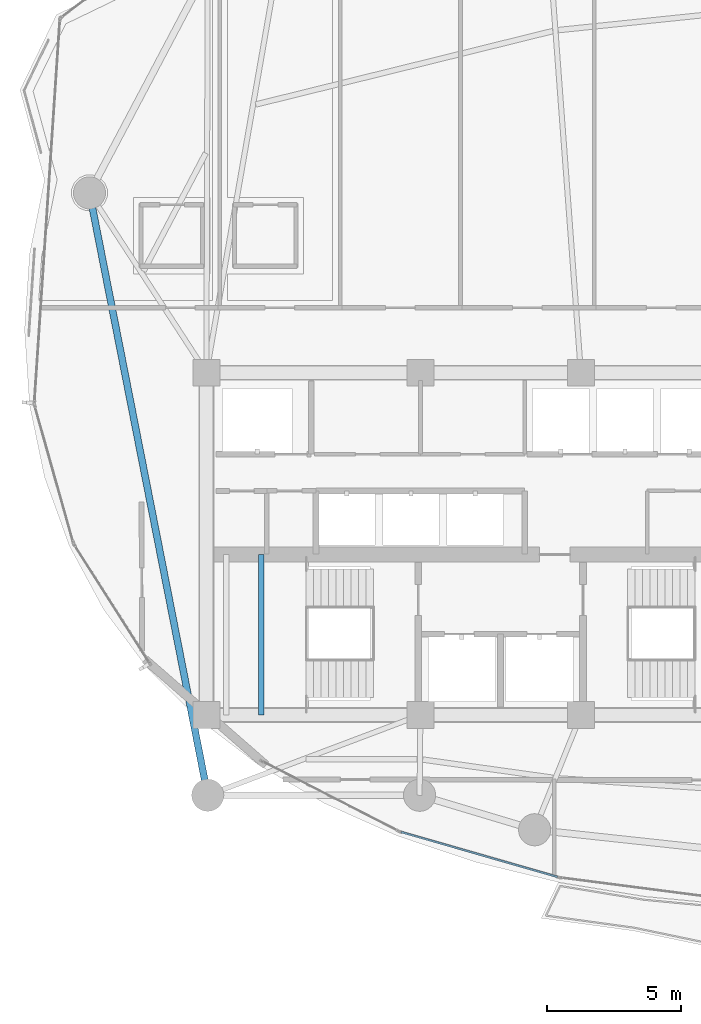
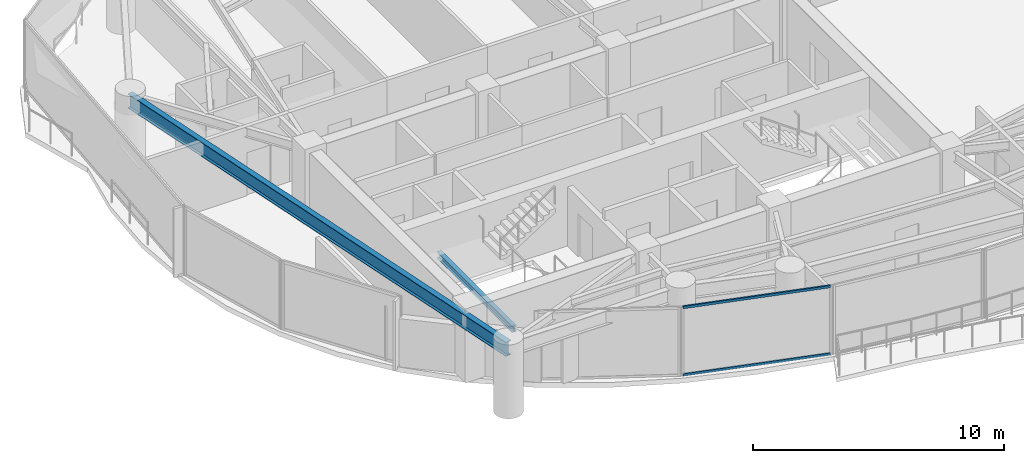
# One storey, part 4 of 30: 2 beams, 2 members, 1 element without a shape of its own.
"""IFC4 building model written with IfcOpenShell, lengths in metres."""

from ifc_helpers import new_model, si_unit, direction, frame, origin, origin_2d, place, context, subcontext, project, spatial, hollow_rectangle, i_section, extrude, material, layer, layer_set, material_profile, profile_set, type_object, element, aggregate, save


model = new_model("IFC4")

# Units and contexts
model_context = context("Model", 3, precision=1e-05, world=origin(), true_north=direction((0.0, 1.0)))
body_context = subcontext(model_context, "Body", "Model", "MODEL_VIEW")
ifc_project = project(units=[si_unit("LENGTHUNIT", "METRE"), si_unit("AREAUNIT", "SQUARE_METRE"), si_unit("VOLUMEUNIT", "CUBIC_METRE"), si_unit("PLANEANGLEUNIT", "RADIAN"), si_unit("MASSUNIT", "GRAM", prefix="KILO")], contexts=[model_context])

# Site, building, storey
site_placement = place(None, origin())
site = spatial("IfcSite", under=ifc_project, at=site_placement, CompositionType="ELEMENT")
building_placement = place(site_placement, origin())
building = spatial("IfcBuilding", under=site, at=building_placement, Name="Kazevale Care Tower and Concert Hall", CompositionType="ELEMENT")
storey_placement = place(building_placement, frame((0.0, 0.0, 127.800048828125)))
storey = spatial("IfcBuildingStorey", under=building, at=storey_placement, Name="L33", CompositionType="ELEMENT", Elevation=127.800048828125)

# Curtain wall, members
ifc_material_1 = material(Name="Aluminium 6063-T6 and Low-E Glass", Category="aluminium")
ifc_layer = layer(ifc_material_1, 0.179931640625)
ifc_layer_set = layer_set([ifc_layer], Name="Aluminium 6063-T6 and Low-E Glass")
curtain_wall_type = type_object("IfcCurtainWallType", Name="Sheltered Concave Balcony Curtain Wall CW-5", PredefinedType="NOTDEFINED", material=ifc_layer_set)
curtain_wall_placement = place(storey_placement, origin())
curtain_wall = element("IfcCurtainWall", 1, at=curtain_wall_placement, inside=storey, type_object=curtain_wall_type, Name="cw:L33:f08", PredefinedType="NOTDEFINED")
ifc_material_2 = material(Name="Aluminium 6063-T6", Category="aluminium")
ifc_material_profile_1 = material_profile(ifc_material_2, hollow_rectangle(XDim=0.074951171875, YDim=0.1201171875, WallThickness=0.00390625, at=origin_2d()), Name="ALU75x120x4")
ifc_profile_set_1 = profile_set([ifc_material_profile_1], Name="Aluminium 6063-T6")
member_type = type_object("IfcMemberType", Name="CW-5 Transom ALU75x120x4", PredefinedType="USERDEFINED", material=ifc_profile_set_1)
member_1_placement = place(storey_placement, frame((35.121826171875, 17.545654296875, 0.037353515625), z_axis=(-0.961067703236, 0.276312992451, 0.0), x_axis=(-0.276312992451, -0.961067703236, 0.0)))
member_1 = element("IfcMember", 2, at=member_1_placement, type_object=member_type, Name="CW-5 transom 1.1", ObjectType="TRANSOM", PredefinedType="USERDEFINED", context=body_context, shape_type="SweptSolid", body=[
    extrude(hollow_rectangle(XDim=0.074951171875, YDim=0.1201171875, WallThickness=0.00390625, at=origin_2d()), origin(), (0.0, 0.0, 1.0), 6.075439453125),
])
member_2_placement = place(storey_placement, frame((35.121826171875, 17.545654296875, 3.322509765625), z_axis=(-0.961067703236, 0.276312992451, 0.0), x_axis=(-0.276312992451, -0.961067703236, 0.0)))
member_2 = element("IfcMember", 3, at=member_2_placement, type_object=member_type, Name="CW-5 transom 1.2", ObjectType="TRANSOM", PredefinedType="USERDEFINED", context=body_context, shape_type="SweptSolid", body=[
    extrude(hollow_rectangle(XDim=0.074951171875, YDim=0.1201171875, WallThickness=0.00390625, at=origin_2d()), origin(), (0.0, 0.0, 1.0), 6.075439453125),
])
aggregate(curtain_wall, [member_1, member_2])

# Beams
ifc_material_3 = material(Name="Steel ASTM A572 Gr 50", Category="steel")
ifc_material_profile_2 = material_profile(ifc_material_3, i_section(OverallWidth=0.202880859375, OverallDepth=0.302978515625, WebThickness=0.007568359375, FlangeThickness=0.01318359375, at=origin_2d()), Name="W310x60")
ifc_profile_set_2 = profile_set([ifc_material_profile_2], Name="Steel ASTM A572 Gr 50")
beam_type_1 = type_object("IfcBeamType", Name="Stair & Balcony Trimmer W310x60", PredefinedType="BEAM", material=ifc_profile_set_2)
beam_1_placement = place(storey_placement, frame((24.050048828125, 23.60009765625, 1.448486328125), z_axis=(0.0, 1.0, 0.0), x_axis=(-1.0, 0.0, 0.0)))
element("IfcBeam", 4, at=beam_1_placement, inside=storey, type_object=beam_type_1, Name="beam:L33:sttrim:ST1b", PredefinedType="BEAM", context=body_context, shape_type="SweptSolid", body=[
    extrude(i_section(OverallWidth=0.202880859375, OverallDepth=0.302978515625, WebThickness=0.007568359375, FlangeThickness=0.01318359375, at=origin_2d()), origin(), (0.0, 0.0, 1.0), 6.0),
])
ifc_material_profile_3 = material_profile(ifc_material_3, i_section(OverallWidth=0.256103515625, OverallDepth=0.693115234375, WebThickness=0.014404296875, FlangeThickness=0.023681640625, at=origin_2d()), Name="W690x170")
ifc_profile_set_3 = profile_set([ifc_material_profile_3], Name="Steel ASTM A572 Gr 50")
beam_type_2 = type_object("IfcBeamType", Name="Waist Ring Beam W690x170", PredefinedType="BEAM", material=ifc_profile_set_3)
beam_2_placement = place(storey_placement, frame((17.6298828125, 43.1201171875, 3.013427734375), z_axis=(0.192602267784, -0.9812769061, 0.0), x_axis=(0.9812769061, 0.192602267784, 0.0)))
element("IfcBeam", 5, at=beam_2_placement, inside=storey, type_object=beam_type_2, Name="beam:L33:ring:09", PredefinedType="BEAM", context=body_context, shape_type="SweptSolid", body=[
    extrude(i_section(OverallWidth=0.256103515625, OverallDepth=0.693115234375, WebThickness=0.014404296875, FlangeThickness=0.023681640625, at=origin_2d()), origin(), (0.0, 0.0, 1.0), 22.94970703125),
])

save(model, "model.ifc")
